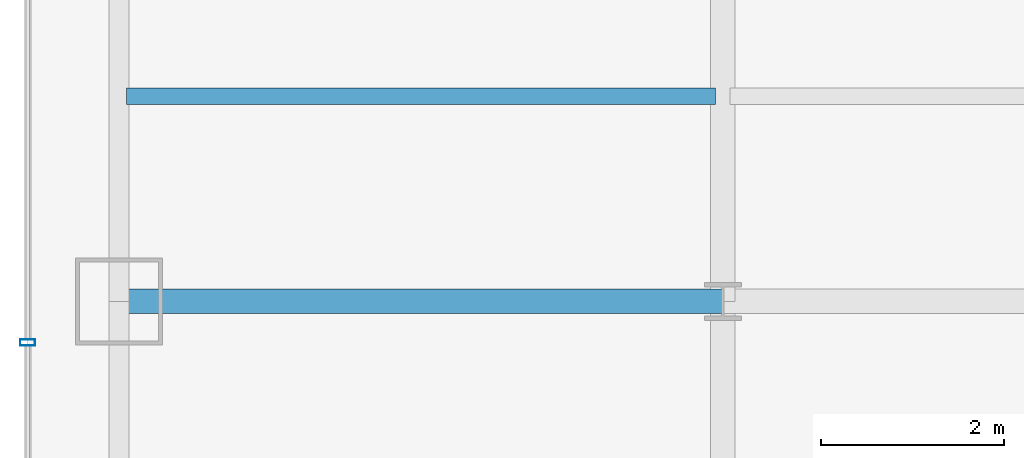
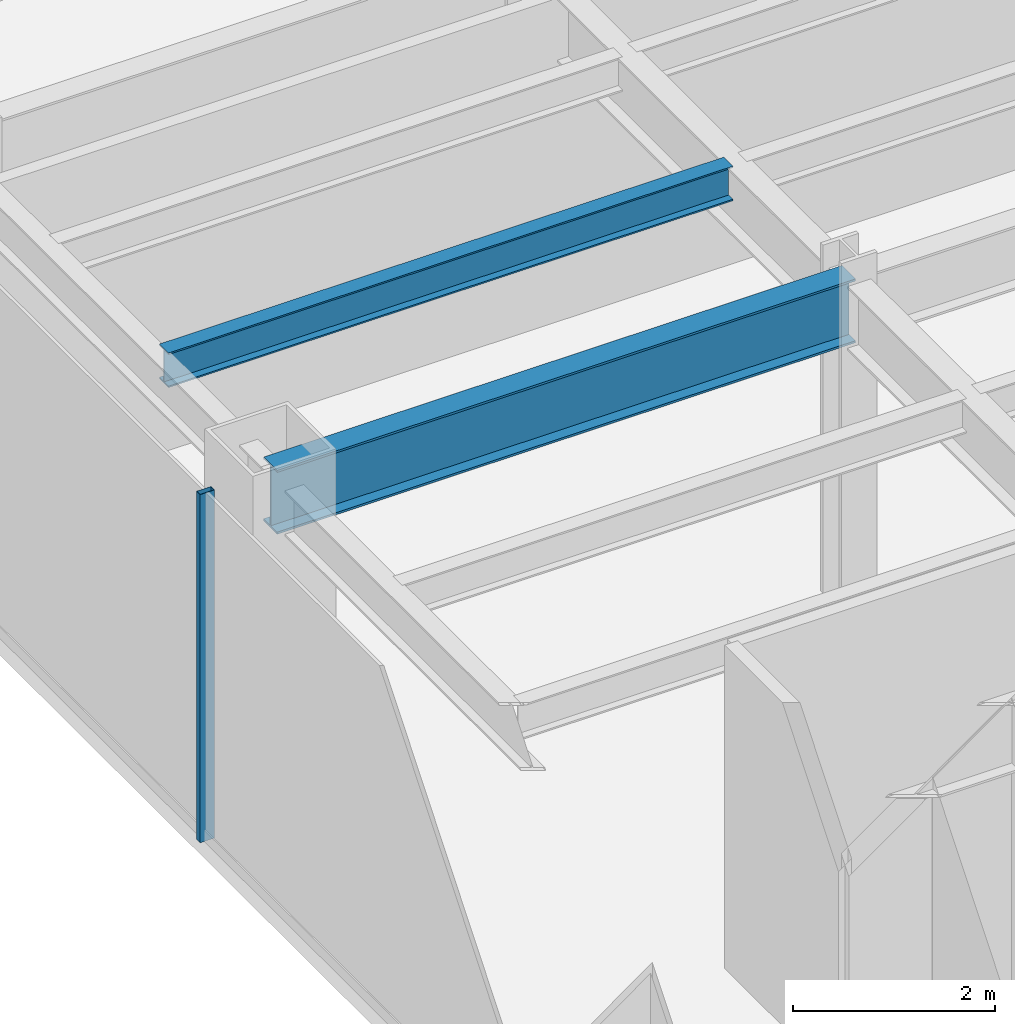
# One storey, part 4 of 35: 2 beams, 1 member, 1 element without a shape of its own.
"""IFC4 building model written with IfcOpenShell, lengths in metres."""

from ifc_helpers import new_model, si_unit, derived_unit, direction, frame, origin, origin_2d, place, context, subcontext, project, spatial, hollow_rectangle, i_section, extrude, source, transform, mapped, material, material_profile, profile_set, type_object, element, aggregate, save


model = new_model("IFC4")

# Units and contexts
model_context = context("Model", 3, precision=1e-05, world=origin(), true_north=direction((0.0, 1.0)))
body_context = subcontext(model_context, "Body", "Model", "MODEL_VIEW")
ifc_project = project(units=[si_unit("LENGTHUNIT", "METRE"), si_unit("AREAUNIT", "SQUARE_METRE"), si_unit("VOLUMEUNIT", "CUBIC_METRE"), si_unit("PLANEANGLEUNIT", "RADIAN"), si_unit("MASSUNIT", "GRAM", prefix="KILO"), derived_unit("THERMALTRANSMITTANCEUNIT", [(si_unit("POWERUNIT", "WATT"), 1), (si_unit("LENGTHUNIT", "METRE"), -2), (si_unit("THERMODYNAMICTEMPERATUREUNIT", "KELVIN"), -1)])], contexts=[model_context])

# Site, building, storey
site_placement = place(None, origin())
site = spatial("IfcSite", under=ifc_project, at=site_placement, CompositionType="ELEMENT")
building_placement = place(site_placement, origin())
building = spatial("IfcBuilding", under=site, at=building_placement, Name="Skarnbrae Concourse Arena and Tower", CompositionType="ELEMENT")
storey_placement = place(building_placement, frame((0.0, 0.0, 79.949951171875)))
storey = spatial("IfcBuildingStorey", under=building, at=storey_placement, Name="L19", CompositionType="ELEMENT", Elevation=79.949951171875)

# Beams
ifc_material_1 = material(Name="Steel CSA G40.21 350W", Category="steel")
ifc_material_profile_1 = material_profile(ifc_material_1, i_section(OverallWidth=0.26806640625, OverallDepth=0.77001953125, WebThickness=0.015625, FlangeThickness=0.025390625, at=origin_2d()), Name="W760X196")
ifc_profile_set_1 = profile_set([ifc_material_profile_1], Name="Steel CSA G40.21 350W")
beam_type_1 = type_object("IfcBeamType", Name="BM-GIRD-W760X196", PredefinedType="BEAM", material=ifc_profile_set_1)
shared_shape_1 = source(origin(), body_context, "Body", "SweptSolid", [
    extrude(i_section(OverallWidth=0.26806640625, OverallDepth=0.77001953125, WebThickness=0.015625, FlangeThickness=0.025390625, at=origin_2d()), origin(), (0.0, 0.0, 1.0), 6.60009765625),
])
beam_1_placement = place(storey_placement, frame((1.0, 21.199951171875, 3.51513671875), z_axis=(1.0, 0.0, 0.0), x_axis=(0.0, 1.0, 0.0)))
element("IfcBeam", 1, at=beam_1_placement, inside=storey, type_object=beam_type_1, Name="L19 Primary E-W girder Y21.2-1", PredefinedType="BEAM", context=body_context, shape_type="MappedRepresentation", body=[
    mapped(shared_shape_1, transform((0.0, 0.0, 0.0))),
])
ifc_material_profile_2 = material_profile(ifc_material_1, i_section(OverallWidth=0.180908203125, OverallDepth=0.4169921875, WebThickness=0.010986328125, FlangeThickness=0.018310546875, at=origin_2d()), Name="W410X85")
ifc_profile_set_2 = profile_set([ifc_material_profile_2], Name="Steel CSA G40.21 350W")
beam_type_2 = type_object("IfcBeamType", Name="BM-JOIST-W410X85", PredefinedType="JOIST", material=ifc_profile_set_2)
shared_shape_2 = source(origin(), body_context, "Body", "SweptSolid", [
    extrude(i_section(OverallWidth=0.180908203125, OverallDepth=0.4169921875, WebThickness=0.010986328125, FlangeThickness=0.018310546875, at=origin_2d()), origin(), (0.0, 0.0, 1.0), 6.43994140625),
])
beam_2_placement = place(storey_placement, frame((1.080078125, 23.444091796875, 3.691650390625), z_axis=(1.0, 0.0, 0.0), x_axis=(0.0, 1.0, 0.0)))
element("IfcBeam", 2, at=beam_2_placement, inside=storey, type_object=beam_type_2, Name="L19 Secondary floor joist 2.1.1", PredefinedType="JOIST", context=body_context, shape_type="MappedRepresentation", body=[
    mapped(shared_shape_2, transform((0.0, 0.0, 0.0))),
])

# Curtain wall, member
ifc_material_2 = material(Name="Bronze anodised aluminium 6063-T6", Category="aluminium")
curtain_wall_type = type_object("IfcCurtainWallType", Name="CW-SYS-06-SKYLOBBY", PredefinedType="USERDEFINED", material=ifc_material_2)
curtain_wall_placement = place(storey_placement, origin())
curtain_wall = element("IfcCurtainWall", 3, at=curtain_wall_placement, inside=storey, type_object=curtain_wall_type, Name="L19 Unitised curtain wall CW-L19-E19", ObjectType="UNITISED CURTAIN WALL", PredefinedType="USERDEFINED")
ifc_material_profile_3 = material_profile(ifc_material_2, hollow_rectangle(XDim=0.070068359375, YDim=0.1650390625, WallThickness=0.00390625, at=origin_2d()), Name="ALU-MULL-70X165")
ifc_profile_set_3 = profile_set([ifc_material_profile_3], Name="Bronze anodised aluminium 6063-T6")
member_type = type_object("IfcMemberType", Name="CWM-CW-06", PredefinedType="MULLION", material=ifc_profile_set_3)
shared_shape_3 = source(origin(), body_context, "Body", "SweptSolid", [
    extrude(hollow_rectangle(XDim=0.070068359375, YDim=0.1650390625, WallThickness=0.00390625, at=origin_2d()), origin(), (0.0, 0.0, 1.0), 4.199951171875),
])
member_placement = place(storey_placement, frame((0.0, 20.75, 0.0), z_axis=(0.0, 0.0, 1.0), x_axis=(0.0, -1.0, 0.0)))
member = element("IfcMember", 4, at=member_placement, type_object=member_type, Name="CW-L19-E19 Mullion 3", PredefinedType="MULLION", context=body_context, shape_type="MappedRepresentation", body=[
    mapped(shared_shape_3, transform((0.0, 0.0, 0.0))),
])
aggregate(curtain_wall, [member])

save(model, "model.ifc")
